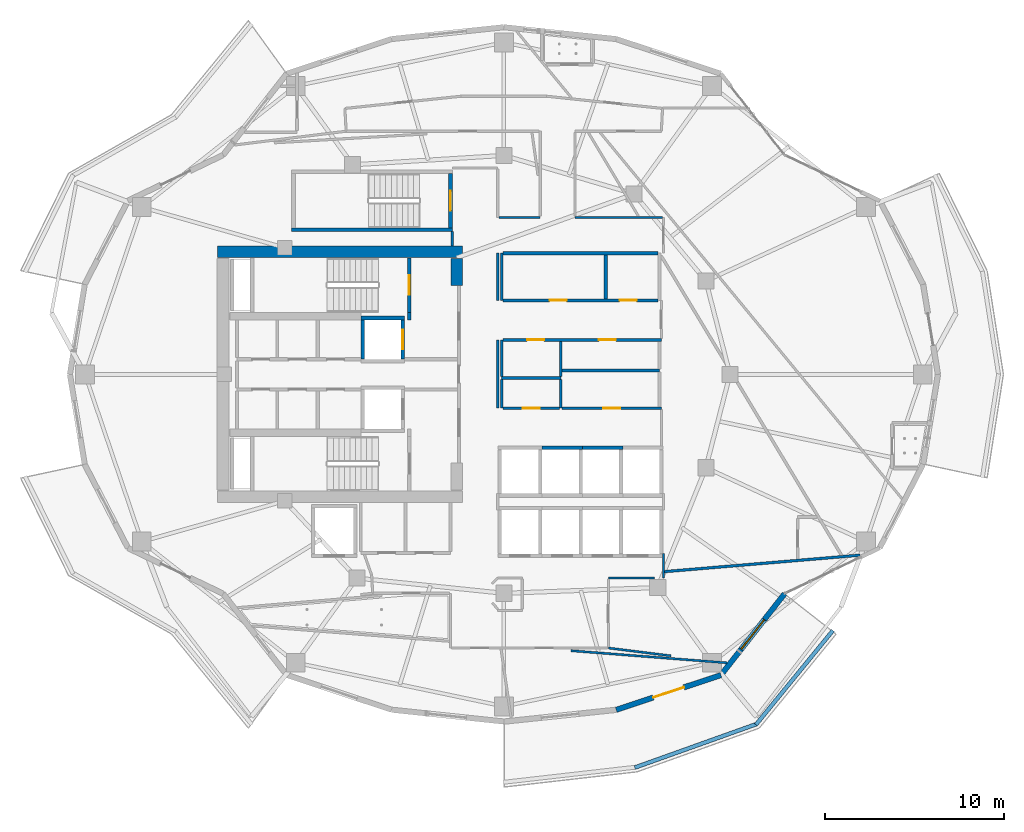
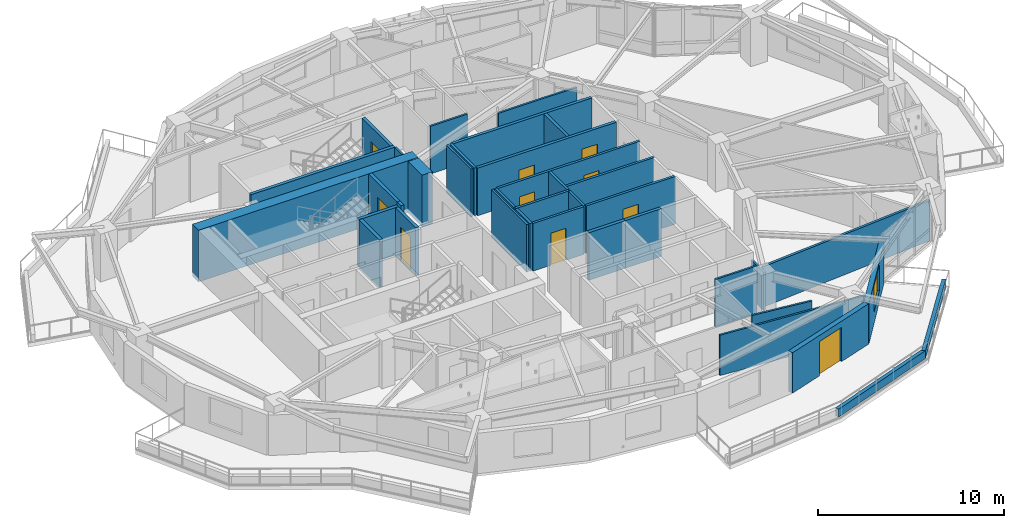
# One storey, part 8 of 18: 38 walls, 10 doors, 1 window, 11 openings.
"""IFC4 building model written with IfcOpenShell, lengths in metres."""

from ifc_helpers import new_model, si_unit, direction, frame, frame_2d, origin, place, context, subcontext, project, spatial, rectangle, extrude, material, layer, layer_set, type_object, element, fill, save


model = new_model("IFC4")

# Units and contexts
model_context = context("Model", 3, precision=1e-05, world=origin(), true_north=direction((0.0, 1.0)))
body_context = subcontext(model_context, "Body", "Model", "MODEL_VIEW")
ifc_project = project(units=[si_unit("LENGTHUNIT", "METRE"), si_unit("AREAUNIT", "SQUARE_METRE"), si_unit("VOLUMEUNIT", "CUBIC_METRE"), si_unit("PLANEANGLEUNIT", "RADIAN"), si_unit("MASSUNIT", "GRAM", prefix="KILO")], contexts=[model_context])

# Site, building, storey
site_placement = place(None, origin())
site = spatial("IfcSite", under=ifc_project, at=site_placement, CompositionType="ELEMENT")
building_placement = place(site_placement, origin())
building = spatial("IfcBuilding", under=site, at=building_placement, Name="Kolvaren Gate Tower and Convention Centre", CompositionType="ELEMENT")
storey_placement = place(building_placement, frame((0.0, 0.0, 135.89990234375)))
storey = spatial("IfcBuildingStorey", under=building, at=storey_placement, Name="L34", CompositionType="ELEMENT", Elevation=135.89990234375)

# Wall
ifc_material_1 = material(Name="Autoclaved Aerated Masonry Blockwork Class 4 (4.0 MPa)", Category="masonry")
ifc_layer_1 = layer(ifc_material_1, 0.179931640625)
ifc_layer_set_1 = layer_set([ifc_layer_1], Name="Autoclaved Aerated Masonry Blockwork Class 4 (4.0 MPa)")
wall_type_1 = type_object("IfcWallType", Name="ARCH-WL-COMP-180", PredefinedType="SOLIDWALL", material=ifc_layer_set_1)
wall_1_placement = place(storey_placement, frame((24.85009765625, 30.0400390625, 0.0), z_axis=(0.0, 0.0, 1.0), x_axis=(0.0, 1.0, 0.0)))
element("IfcWall", 1, at=wall_1_placement, inside=storey, type_object=wall_type_1, Name="Interior Partition WL-L34-INT-002", PredefinedType="SOLIDWALL", context=body_context, shape_type="SweptSolid", body=[
    extrude(rectangle(XDim=0.419921875, YDim=0.179931640625, at=frame_2d((0.2099609375, 0.0))), origin(), (0.0, 0.0, 1.0), 3.130126953125),
])

# Wall, openings, doors
wall_2_placement = place(storey_placement, frame((30.076904296875, 31.1201171875, 0.0), z_axis=(0.0, 0.0, 1.0), x_axis=(1.0, 0.0, 0.0)))
wall_2 = element("IfcWall", 2, at=wall_2_placement, inside=storey, type_object=wall_type_1, Name="Interior Partition WL-L34-INT-025", PredefinedType="SOLIDWALL", context=body_context, shape_type="SweptSolid", body=[
    extrude(rectangle(XDim=8.631103515625, YDim=0.179931640625, at=frame_2d((4.3154296875, 0.0))), origin(), (0.0, 0.0, 1.0), 3.130126953125),
])
opening_1_placement = place(wall_2_placement, frame((2.591552734375, 0.0, 0.0)))
opening_1 = element("IfcOpeningElement", 3, at=opening_1_placement, cuts=wall_2, Name="Opening DR-01", PredefinedType="OPENING", context=body_context, shape_type="SweptSolid", body=[
    extrude(rectangle(XDim=0.949951171875, YDim=2.10009765625, at=frame_2d((0.47509765625, 1.050048828125))), frame((0.0, 0.099853515625, 0.0), z_axis=(0.0, -1.0, 0.0), x_axis=(1.0, 0.0, 0.0)), (0.0, 0.0, 1.0), 0.199951171875),
])
opening_2_placement = place(wall_2_placement, frame((6.4970703125, 0.0, 0.0)))
opening_2 = element("IfcOpeningElement", 4, at=opening_2_placement, cuts=wall_2, Name="Opening DR-01", PredefinedType="OPENING", context=body_context, shape_type="SweptSolid", body=[
    extrude(rectangle(XDim=0.949951171875, YDim=2.10009765625, at=frame_2d((0.47509765625, 1.050048828125))), frame((0.0, 0.099853515625, 0.0), z_axis=(0.0, -1.0, 0.0), x_axis=(1.0, 0.0, 0.0)), (0.0, 0.0, 1.0), 0.199951171875),
])
ifc_material_2 = material(Name="Painted Architectural Steelwork ASTM A500 Grade C 345 MPa", Category="steel")
door_type_1 = type_object("IfcDoorType", Name="ARCH-DR-RISER-950", OperationType="SINGLE_SWING_RIGHT", PredefinedType="DOOR", material=ifc_material_2)
door_1_placement = place(opening_1_placement, origin())
door_1 = element("IfcDoor", 5, at=door_1_placement, inside=storey, type_object=door_type_1, Name="Steward Supply Store Door", OperationType="SINGLE_SWING_RIGHT", OverallHeight=2.10009765625, OverallWidth=0.949951171875, PredefinedType="DOOR", context=body_context, shape_type="SweptSolid", body=[
    extrude(rectangle(XDim=0.949951171875, YDim=2.10009765625, at=frame_2d((0.47509765625, 1.050048828125))), frame((0.0, 0.02490234375, 0.0), z_axis=(0.0, -1.0, 0.0), x_axis=(1.0, 0.0, 0.0)), (0.0, 0.0, 1.0), 0.050048828125),
])
fill(opening_1, door_1)
door_2_placement = place(opening_2_placement, origin())
door_2 = element("IfcDoor", 6, at=door_2_placement, inside=storey, type_object=door_type_1, Name="Floor Telecom Switch Room Door", OperationType="SINGLE_SWING_LEFT", OverallHeight=2.10009765625, OverallWidth=0.949951171875, PredefinedType="DOOR", context=body_context, shape_type="SweptSolid", body=[
    extrude(rectangle(XDim=0.949951171875, YDim=2.10009765625, at=frame_2d((0.47509765625, 1.050048828125))), frame((0.0, 0.02490234375, 0.0), z_axis=(0.0, -1.0, 0.0), x_axis=(1.0, 0.0, 0.0)), (0.0, 0.0, 1.0), 0.050048828125),
])
fill(opening_2, door_2)

# Walls
wall_3_placement = place(storey_placement, frame((30.076904296875, 33.75, 0.0), z_axis=(0.0, 0.0, 1.0), x_axis=(1.0, 0.0, 0.0)))
element("IfcWall", 7, at=wall_3_placement, inside=storey, type_object=wall_type_1, Name="Interior Partition WL-L34-INT-026", PredefinedType="SOLIDWALL", context=body_context, shape_type="SweptSolid", body=[
    extrude(rectangle(XDim=8.631103515625, YDim=0.179931640625, at=frame_2d((4.3154296875, 0.0))), origin(), (0.0, 0.0, 1.0), 3.130126953125),
])
wall_4_placement = place(storey_placement, frame((35.800048828125, 31.2119140625, 0.0), z_axis=(0.0, 0.0, 1.0), x_axis=(0.0, 1.0, 0.0)))
element("IfcWall", 8, at=wall_4_placement, inside=storey, type_object=wall_type_1, Name="Interior Partition WL-L34-INT-027", PredefinedType="SOLIDWALL", context=body_context, shape_type="SweptSolid", body=[
    extrude(rectangle(XDim=2.446044921875, YDim=0.179931640625, at=frame_2d((1.22314453125, 0.0))), origin(), (0.0, 0.0, 1.0), 3.130126953125),
])
ifc_material_3 = material(Name="Fire-Rated Acoustic Gypsum Stud Partition", Category="gypsum")
ifc_layer_2 = layer(ifc_material_3, 0.1201171875)
ifc_layer_set_2 = layer_set([ifc_layer_2], Name="Fire-Rated Acoustic Gypsum Stud Partition")
wall_type_2 = type_object("IfcWallType", Name="ARCH-WL-PART-120", PredefinedType="PARTITIONING", material=ifc_layer_set_2)
wall_5_placement = place(storey_placement, frame((39.02001953125, 15.64990234375, 0.0), z_axis=(0.0, 0.0, 1.0), x_axis=(0.0, 1.0, 0.0)))
element("IfcWall", 9, at=wall_5_placement, inside=storey, type_object=wall_type_2, Name="Interior Partition WL-L34-INT-028", PredefinedType="PARTITIONING", context=body_context, shape_type="SweptSolid", body=[
    extrude(rectangle(XDim=1.360107421875, YDim=0.1201171875, at=frame_2d((0.68017578125, 0.0))), origin(), (0.0, 0.0, 1.0), 2.505126953125),
])
wall_6_placement = place(storey_placement, frame((35.949951171875, 15.64990234375, 0.0), z_axis=(0.0, 0.0, 1.0), x_axis=(1.0, 0.0, 0.0)))
element("IfcWall", 10, at=wall_6_placement, inside=storey, type_object=wall_type_2, Name="Interior Partition WL-L34-INT-031", PredefinedType="PARTITIONING", context=body_context, shape_type="SweptSolid", body=[
    extrude(rectangle(XDim=2.568115234375, YDim=0.1201171875, at=frame_2d((1.2841796875, 0.0))), origin(), (0.0, 0.0, 1.0), 3.130126953125),
])
wall_7_placement = place(storey_placement, frame((27.25, 34.152099609375, 0.0), z_axis=(0.0, 0.0, 1.0), x_axis=(0.0, 1.0, 0.0)))
element("IfcWall", 11, at=wall_7_placement, inside=storey, type_object=wall_type_2, Name="Interior Partition WL-L34-INT-038", PredefinedType="PARTITIONING", context=body_context, shape_type="SweptSolid", body=[
    extrude(rectangle(XDim=0.805908203125, YDim=0.1201171875, at=frame_2d((0.40283203125, 0.0))), origin(), (0.0, 0.0, 1.0), 3.130126953125),
])
wall_8_placement = place(storey_placement, frame((29.780029296875, 25.1201171875, 0.0), z_axis=(0.0, 0.0, 1.0), x_axis=(0.0, 1.0, 0.0)))
element("IfcWall", 12, at=wall_8_placement, inside=storey, type_object=wall_type_2, Name="Interior Partition WL-L34-INT-041", PredefinedType="PARTITIONING", context=body_context, shape_type="SweptSolid", body=[
    extrude(rectangle(XDim=3.7998046875, YDim=0.1201171875, at=frame_2d((1.89990234375, 0.0))), origin(), (0.0, 0.0, 1.0), 3.130126953125),
])
wall_9_placement = place(storey_placement, frame((29.780029296875, 31.1201171875, 0.0), z_axis=(0.0, 0.0, 1.0), x_axis=(0.0, 1.0, 0.0)))
element("IfcWall", 13, at=wall_9_placement, inside=storey, type_object=wall_type_2, Name="Interior Partition WL-L34-INT-042", PredefinedType="PARTITIONING", context=body_context, shape_type="SweptSolid", body=[
    extrude(rectangle(XDim=2.6298828125, YDim=0.1201171875, at=frame_2d((1.31494140625, 0.0))), origin(), (0.0, 0.0, 1.0), 3.130126953125),
])
wall_10_placement = place(storey_placement, frame((29.842041015625, 35.75, 0.0), z_axis=(0.0, 0.0, 1.0), x_axis=(1.0, 0.0, 0.0)))
element("IfcWall", 14, at=wall_10_placement, inside=storey, type_object=wall_type_2, Name="Interior Partition WL-L34-INT-044", PredefinedType="PARTITIONING", context=body_context, shape_type="SweptSolid", body=[
    extrude(rectangle(XDim=2.307861328125, YDim=0.1201171875, at=frame_2d((1.15380859375, 0.0))), origin(), (0.0, 0.0, 1.0), 3.130126953125),
])
wall_11_placement = place(storey_placement, frame((34.080078125, 35.75, 0.0), z_axis=(0.0, 0.0, 1.0), x_axis=(1.0, 0.0, 0.0)))
element("IfcWall", 15, at=wall_11_placement, inside=storey, type_object=wall_type_2, Name="Interior Partition WL-L34-INT-045", PredefinedType="PARTITIONING", context=body_context, shape_type="SweptSolid", body=[
    extrude(rectangle(XDim=4.8779296875, YDim=0.1201171875, at=frame_2d((2.43896484375, 0.0))), origin(), (0.0, 0.0, 1.0), 2.505126953125),
])
wall_12_placement = place(storey_placement, frame((33.871826171875, 11.60009765625, 0.0), z_axis=(0.0, 0.0, 1.0), x_axis=(0.996986194661, -0.077579170241, 0.0)))
element("IfcWall", 16, at=wall_12_placement, inside=storey, type_object=wall_type_2, Name="Interior Partition WL-L34-INT-063", PredefinedType="PARTITIONING", context=body_context, shape_type="SweptSolid", body=[
    extrude(rectangle(XDim=8.714111328125, YDim=0.1201171875, at=frame_2d((4.35693359375, 0.0))), origin(), (0.0, 0.0, 1.0), 2.653076171875),
])
wall_13_placement = place(storey_placement, frame((35.949951171875, 11.75, 0.0), z_axis=(0.0, 0.0, 1.0), x_axis=(0.992393012253, -0.123110150805, 0.0)))
element("IfcWall", 17, at=wall_13_placement, inside=storey, type_object=wall_type_2, Name="Interior Partition WL-L34-INT-065", PredefinedType="PARTITIONING", context=body_context, shape_type="SweptSolid", body=[
    extrude(rectangle(XDim=3.510009765625, YDim=0.1201171875, at=frame_2d((1.7548828125, 0.0))), origin(), (0.0, 0.0, 1.0), 3.130126953125),
])
ifc_material_4 = material(Name="Piedmont Cream Honed Limestone Cladding", Category="masonry")
ifc_layer_3 = layer(ifc_material_4, 0.219970703125)
ifc_layer_set_3 = layer_set([ifc_layer_3], Name="Piedmont Cream Honed Limestone Cladding")
wall_type_3 = type_object("IfcWallType", Name="ARCH-WL-PLANTER-220", PredefinedType="PARAPET", material=ifc_layer_set_3)
wall_14_placement = place(storey_placement, frame((37.4189453125, 5.08740234375, 0.0), z_axis=(0.0, 0.0, 1.0), x_axis=(0.941632697311, 0.336642040387, 0.0)))
element("IfcWall", 18, at=wall_14_placement, inside=storey, type_object=wall_type_3, Name="Vertical-Forest Balcony Stone Planter Kerb PK-L34-3.2", PredefinedType="PARAPET", context=body_context, shape_type="SweptSolid", body=[
    extrude(rectangle(XDim=7.235595703125, YDim=0.219970703125, at=frame_2d((3.61767578125, 0.0))), origin(), (0.0, 0.0, 1.0), 0.52001953125),
])
wall_15_placement = place(storey_placement, frame((44.1669921875, 7.476806640625, 0.0), z_axis=(0.0, 0.0, 1.0), x_axis=(0.633002467947, 0.77414977593, 0.0)))
element("IfcWall", 19, at=wall_15_placement, inside=storey, type_object=wall_type_3, Name="Vertical-Forest Balcony Stone Planter Kerb PK-L34-3.3", PredefinedType="PARAPET", context=body_context, shape_type="SweptSolid", body=[
    extrude(rectangle(XDim=6.7802734375, YDim=0.219970703125, at=frame_2d((3.39013671875, 0.0))), origin(), (0.0, 0.0, 1.0), 0.52001953125),
])
ifc_layer_4 = layer(ifc_material_1, 0.199951171875)
ifc_layer_set_4 = layer_set([ifc_layer_4], Name="Autoclaved Aerated Masonry Blockwork Class 4 (4.0 MPa)")
wall_type_4 = type_object("IfcWallType", Name="ARCH-WL-SHAFT-200", PredefinedType="SOLIDWALL", material=ifc_layer_set_4)
wall_16_placement = place(storey_placement, frame((22.14990234375, 30.139892578125, 0.0), z_axis=(0.0, 0.0, 1.0), x_axis=(1.0, 0.0, 0.0)))
element("IfcWall", 20, at=wall_16_placement, inside=storey, type_object=wall_type_4, Name="Elevator FF-01 L34 Fire Shaft Wall N", PredefinedType="SOLIDWALL", context=body_context, shape_type="SweptSolid", body=[
    extrude(rectangle(XDim=2.4501953125, YDim=0.199951171875, at=frame_2d((1.22509765625, 0.0))), origin(), (0.0, 0.0, 1.0), 3.130126953125),
])
wall_17_placement = place(storey_placement, frame((22.25, 27.85009765625, 0.0), z_axis=(0.0, 0.0, 1.0), x_axis=(0.0, 1.0, 0.0)))
element("IfcWall", 21, at=wall_17_placement, inside=storey, type_object=wall_type_4, Name="Elevator FF-01 L34 Fire Shaft Wall W", PredefinedType="SOLIDWALL", context=body_context, shape_type="SweptSolid", body=[
    extrude(rectangle(XDim=2.179931640625, YDim=0.199951171875, at=frame_2d((1.08984375, 0.0))), origin(), (0.0, 0.0, 1.0), 3.130126953125),
])

# Wall, opening, door
wall_18_placement = place(storey_placement, frame((24.5, 27.85009765625, 0.0), z_axis=(0.0, 0.0, 1.0), x_axis=(0.0, 1.0, 0.0)))
wall_18 = element("IfcWall", 22, at=wall_18_placement, inside=storey, type_object=wall_type_4, Name="Elevator FF-01 L34 Fire Shaft Wall E", PredefinedType="SOLIDWALL", context=body_context, shape_type="SweptSolid", body=[
    extrude(rectangle(XDim=2.179931640625, YDim=0.199951171875, at=frame_2d((1.08984375, 0.0))), origin(), (0.0, 0.0, 1.0), 3.130126953125),
])
opening_3_placement = place(wall_18_placement, frame((0.5400390625, 0.0, 0.0)))
opening_3 = element("IfcOpeningElement", 23, at=opening_3_placement, cuts=wall_18, Name="Opening LD", PredefinedType="OPENING", context=body_context, shape_type="SweptSolid", body=[
    extrude(rectangle(XDim=1.10009765625, YDim=2.199951171875, at=frame_2d((0.550048828125, 1.10009765625))), frame((0.0, 0.10986328125, 0.0), z_axis=(0.0, -1.0, 0.0), x_axis=(1.0, 0.0, 0.0)), (0.0, 0.0, 1.0), 0.219970703125),
])
ifc_material_5 = material(Name="Brushed Stainless Steel Grade 316L", Category="steel")
door_type_2 = type_object("IfcDoorType", Name="ARCH-DR-LIFT-1100", OperationType="SLIDING_TO_LEFT", PredefinedType="DOOR", material=ifc_material_5)
door_3_placement = place(opening_3_placement, origin())
door_3 = element("IfcDoor", 24, at=door_3_placement, inside=storey, type_object=door_type_2, Name="Elevator FF-01 L34 Sliding Landing Door", OperationType="SLIDING_TO_LEFT", OverallHeight=2.199951171875, OverallWidth=1.10009765625, PredefinedType="DOOR", context=body_context, shape_type="SweptSolid", body=[
    extrude(rectangle(XDim=1.10009765625, YDim=2.199951171875, at=frame_2d((0.550048828125, 1.10009765625))), frame((0.0, 0.02490234375, 0.0), z_axis=(0.0, -1.0, 0.0), x_axis=(1.0, 0.0, 0.0)), (0.0, 0.0, 1.0), 0.050048828125),
])
fill(opening_3, door_3)

# Walls
for number, where, z_axis, x_axis, name in (
    (25, (32.25, 22.89990234375, 0.0), (0.0, 0.0, 1.0), (1.0, 0.0, 0.0), "Elevator PL-10 L34 Fire Shaft Wall N"),
    (26, (34.5, 22.89990234375, 0.0), (0.0, 0.0, 1.0), (1.0, 0.0, 0.0), "Elevator PL-11 L34 Fire Shaft Wall N"),
):
    element("IfcWall", number, at=place(storey_placement, frame(where, z_axis=z_axis, x_axis=x_axis)), inside=storey, type_object=wall_type_4, Name=name, PredefinedType="SOLIDWALL", context=body_context, shape_type="SweptSolid", body=[
        extrude(rectangle(XDim=2.25, YDim=0.199951171875, at=frame_2d((1.125, 0.0))), origin(), (0.0, 0.0, 1.0), 3.130126953125),
    ])

# Wall, opening, door
ifc_layer_5 = layer(ifc_material_4, 0.300048828125)
ifc_layer_set_5 = layer_set([ifc_layer_5], Name="Piedmont Cream Honed Limestone Cladding")
wall_type_5 = type_object("IfcWallType", Name="ARCH-WL-STONE-300", PredefinedType="SOLIDWALL", material=ifc_layer_set_5)
wall_19_placement = place(storey_placement, frame((36.38525390625, 8.309326171875, 0.0), z_axis=(0.0, 0.0, 1.0), x_axis=(0.949238009374, 0.314558741032, 0.0)))
wall_19 = element("IfcWall", 27, at=wall_19_placement, inside=storey, type_object=wall_type_5, Name="Tower L34 Honed Stone Spandrel Wall EW-19", PredefinedType="SOLIDWALL", context=body_context, shape_type="SweptSolid", body=[
    extrude(rectangle(XDim=6.1455078125, YDim=0.300048828125, at=frame_2d((3.07275390625, 0.0))), origin(), (0.0, 0.0, 1.0), 2.653076171875),
])
opening_4_placement = place(wall_19_placement, frame((2.173095703125, 0.0, 0.0)))
opening_4 = element("IfcOpeningElement", 28, at=opening_4_placement, cuts=wall_19, Name="Opening DB-01", PredefinedType="OPENING", context=body_context, shape_type="SweptSolid", body=[
    extrude(rectangle(XDim=1.800048828125, YDim=2.25, at=frame_2d((0.89990234375, 1.125))), frame((0.0, 0.159912109375, 0.0), z_axis=(0.0, -1.0, 0.0), x_axis=(1.0, 0.0, 0.0)), (0.0, 0.0, 1.0), 0.320068359375),
])
ifc_material_6 = material(Name="Anodized Architectural Aluminium Alloy 6063-T6", Category="aluminium")
door_type_3 = type_object("IfcDoorType", Name="ARCH-DR-BALC-1800", OperationType="SLIDING_TO_LEFT", PredefinedType="DOOR", material=ifc_material_6)
door_4_placement = place(opening_4_placement, frame((1.800048828125, 0.0, 0.0), z_axis=(0.0, 0.0, 1.0), x_axis=(-1.0, 0.0, 0.0)))
door_4 = element("IfcDoor", 29, at=door_4_placement, inside=storey, type_object=door_type_3, Name="Planted Sky Terrace Access Door DB-L34-19", OperationType="SLIDING_TO_LEFT", OverallHeight=2.25, OverallWidth=1.800048828125, PredefinedType="DOOR", context=body_context, shape_type="SweptSolid", body=[
    extrude(rectangle(XDim=1.800048828125, YDim=2.25, at=frame_2d((0.89990234375, 1.125))), frame((0.0, 0.02490234375, 0.0), z_axis=(0.0, -1.0, 0.0), x_axis=(1.0, 0.0, 0.0)), (0.0, 0.0, 1.0), 0.050048828125),
])
fill(opening_4, door_4)

# Wall, opening, window
wall_20_placement = place(storey_placement, frame((42.21875, 10.242431640625, 0.0), z_axis=(0.0, 0.0, 1.0), x_axis=(0.616435134162, 0.787405693001, 0.0)))
wall_20 = element("IfcWall", 30, at=wall_20_placement, inside=storey, type_object=wall_type_5, Name="Tower L34 Honed Stone Spandrel Wall EW-20", PredefinedType="SOLIDWALL", context=body_context, shape_type="SweptSolid", body=[
    extrude(rectangle(XDim=5.759033203125, YDim=0.300048828125, at=frame_2d((2.87939453125, 0.0))), origin(), (0.0, 0.0, 1.0), 2.653076171875),
])
opening_5_placement = place(wall_20_placement, frame((1.8291015625, 0.0, 0.739990234375)))
opening_5 = element("IfcOpeningElement", 31, at=opening_5_placement, cuts=wall_20, Name="Opening W-02", PredefinedType="OPENING", context=body_context, shape_type="SweptSolid", body=[
    extrude(rectangle(XDim=2.10009765625, YDim=1.699951171875, at=frame_2d((1.050048828125, 0.85009765625))), frame((0.0, 0.159912109375, 0.0), z_axis=(0.0, -1.0, 0.0), x_axis=(1.0, 0.0, 0.0)), (0.0, 0.0, 1.0), 0.320068359375),
])
ifc_material_7 = material(Name="Low-E Triple Insulated Glazing Unit 44 mm", Category="glass")
window_type = type_object("IfcWindowType", Name="ARCH-WN-HTL-2100", PartitioningType="SINGLE_PANEL", PredefinedType="WINDOW", material=ifc_material_7)
window_placement = place(opening_5_placement, origin())
window = element("IfcWindow", 32, at=window_placement, inside=storey, type_object=window_type, Name="Tower L34 Punched Stone Facade Window W-20", OverallHeight=1.699951171875, OverallWidth=2.10009765625, PartitioningType="SINGLE_PANEL", PredefinedType="WINDOW", context=body_context, shape_type="SweptSolid", body=[
    extrude(rectangle(XDim=2.10009765625, YDim=1.699951171875, at=frame_2d((1.050048828125, 0.85009765625))), frame((0.0, 0.030029296875, 0.0), z_axis=(0.0, -1.0, 0.0), x_axis=(1.0, 0.0, 0.0)), (0.0, 0.0, 1.0), 0.06005859375),
])
fill(opening_5, window)

# Walls
ifc_material_8 = material(Name="Moisture-Resistant Cement-Board Acoustic Partition", Category="gypsum")
ifc_layer_6 = layer(ifc_material_8, 0.14990234375)
ifc_layer_set_6 = layer_set([ifc_layer_6], Name="Moisture-Resistant Cement-Board Acoustic Partition")
wall_type_6 = type_object("IfcWallType", Name="ARCH-WL-WET-150", PredefinedType="PARTITIONING", material=ifc_layer_set_6)
wall_21_placement = place(storey_placement, frame((30.0, 26.800048828125, 0.0), z_axis=(0.0, 0.0, 1.0), x_axis=(1.0, 0.0, 0.0)))
element("IfcWall", 33, at=wall_21_placement, inside=storey, type_object=wall_type_6, Name="Interior Partition WL-L34-INT-016", PredefinedType="PARTITIONING", context=body_context, shape_type="SweptSolid", body=[
    extrude(rectangle(XDim=3.300048828125, YDim=0.14990234375, at=frame_2d((1.64990234375, 0.0))), origin(), (0.0, 0.0, 1.0), 3.130126953125),
])
wall_22_placement = place(storey_placement, frame((30.0, 25.1201171875, 0.0), z_axis=(0.0, 0.0, 1.0), x_axis=(0.0, 1.0, 0.0)))
element("IfcWall", 34, at=wall_22_placement, inside=storey, type_object=wall_type_6, Name="Interior Partition WL-L34-INT-017", PredefinedType="PARTITIONING", context=body_context, shape_type="SweptSolid", body=[
    extrude(rectangle(XDim=1.602783203125, YDim=0.14990234375, at=frame_2d((0.80126953125, 0.0))), origin(), (0.0, 0.0, 1.0), 3.130126953125),
])
wall_23_placement = place(storey_placement, frame((30.0, 26.876953125, 0.0), z_axis=(0.0, 0.0, 1.0), x_axis=(0.0, 1.0, 0.0)))
element("IfcWall", 35, at=wall_23_placement, inside=storey, type_object=wall_type_6, Name="Interior Partition WL-L34-INT-017 (2)", PredefinedType="PARTITIONING", context=body_context, shape_type="SweptSolid", body=[
    extrude(rectangle(XDim=2.04296875, YDim=0.14990234375, at=frame_2d((1.021484375, 0.0))), origin(), (0.0, 0.0, 1.0), 3.130126953125),
])
wall_24_placement = place(storey_placement, frame((30.0, 31.1201171875, 0.0), z_axis=(0.0, 0.0, 1.0), x_axis=(0.0, 1.0, 0.0)))
element("IfcWall", 36, at=wall_24_placement, inside=storey, type_object=wall_type_6, Name="Interior Partition WL-L34-INT-018", PredefinedType="PARTITIONING", context=body_context, shape_type="SweptSolid", body=[
    extrude(rectangle(XDim=2.6298828125, YDim=0.14990234375, at=frame_2d((1.31494140625, 0.0))), origin(), (0.0, 0.0, 1.0), 3.130126953125),
])

# Wall, openings, doors
wall_25_placement = place(storey_placement, frame((30.076904296875, 28.919921875, 0.0), z_axis=(0.0, 0.0, 1.0), x_axis=(1.0, 0.0, 0.0)))
wall_25 = element("IfcWall", 37, at=wall_25_placement, inside=storey, type_object=wall_type_6, Name="Interior Partition WL-L34-INT-019", PredefinedType="PARTITIONING", context=body_context, shape_type="SweptSolid", body=[
    extrude(rectangle(XDim=8.822998046875, YDim=0.14990234375, at=frame_2d((4.41162109375, 0.0))), origin(), (0.0, 0.0, 1.0), 3.130126953125),
])
opening_6_placement = place(wall_25_placement, frame((1.341552734375, 0.0, 0.0)))
opening_6 = element("IfcOpeningElement", 38, at=opening_6_placement, cuts=wall_25, Name="Opening DR-01", PredefinedType="OPENING", context=body_context, shape_type="SweptSolid", body=[
    extrude(rectangle(XDim=0.949951171875, YDim=2.10009765625, at=frame_2d((0.47509765625, 1.050048828125))), frame((0.0, 0.0849609375, 0.0), z_axis=(0.0, -1.0, 0.0), x_axis=(1.0, 0.0, 0.0)), (0.0, 0.0, 1.0), 0.169921875),
])
opening_7_placement = place(wall_25_placement, frame((5.343017578125, 0.0, 0.0)))
opening_7 = element("IfcOpeningElement", 39, at=opening_7_placement, cuts=wall_25, Name="Opening DR-01", PredefinedType="OPENING", context=body_context, shape_type="SweptSolid", body=[
    extrude(rectangle(XDim=0.949951171875, YDim=2.10009765625, at=frame_2d((0.47509765625, 1.050048828125))), frame((0.0, 0.0849609375, 0.0), z_axis=(0.0, -1.0, 0.0), x_axis=(1.0, 0.0, 0.0)), (0.0, 0.0, 1.0), 0.169921875),
])
door_5_placement = place(opening_6_placement, origin())
door_5 = element("IfcDoor", 40, at=door_5_placement, inside=storey, type_object=door_type_1, Name="Accessible North Washroom Door", OperationType="SINGLE_SWING_RIGHT", OverallHeight=2.10009765625, OverallWidth=0.949951171875, PredefinedType="DOOR", context=body_context, shape_type="SweptSolid", body=[
    extrude(rectangle(XDim=0.949951171875, YDim=2.10009765625, at=frame_2d((0.47509765625, 1.050048828125))), frame((0.0, 0.02490234375, 0.0), z_axis=(0.0, -1.0, 0.0), x_axis=(1.0, 0.0, 0.0)), (0.0, 0.0, 1.0), 0.050048828125),
])
fill(opening_6, door_5)
door_6_placement = place(opening_7_placement, origin())
door_6 = element("IfcDoor", 41, at=door_6_placement, inside=storey, type_object=door_type_1, Name="Hotel Housekeeping and Linen Store Door", OperationType="SINGLE_SWING_RIGHT", OverallHeight=2.10009765625, OverallWidth=0.949951171875, PredefinedType="DOOR", context=body_context, shape_type="SweptSolid", body=[
    extrude(rectangle(XDim=0.949951171875, YDim=2.10009765625, at=frame_2d((0.47509765625, 1.050048828125))), frame((0.0, 0.02490234375, 0.0), z_axis=(0.0, -1.0, 0.0), x_axis=(1.0, 0.0, 0.0)), (0.0, 0.0, 1.0), 0.050048828125),
])
fill(opening_7, door_6)

# Walls
wall_26_placement = place(storey_placement, frame((33.300048828125, 25.1201171875, 0.0), z_axis=(0.0, 0.0, 1.0), x_axis=(0.0, 1.0, 0.0)))
element("IfcWall", 42, at=wall_26_placement, inside=storey, type_object=wall_type_6, Name="Interior Partition WL-L34-INT-020", PredefinedType="PARTITIONING", context=body_context, shape_type="SweptSolid", body=[
    extrude(rectangle(XDim=1.602783203125, YDim=0.14990234375, at=frame_2d((0.80126953125, 0.0))), origin(), (0.0, 0.0, 1.0), 3.130126953125),
])
wall_27_placement = place(storey_placement, frame((33.300048828125, 26.876953125, 0.0), z_axis=(0.0, 0.0, 1.0), x_axis=(0.0, 1.0, 0.0)))
element("IfcWall", 43, at=wall_27_placement, inside=storey, type_object=wall_type_6, Name="Interior Partition WL-L34-INT-020 (2)", PredefinedType="PARTITIONING", context=body_context, shape_type="SweptSolid", body=[
    extrude(rectangle(XDim=1.966064453125, YDim=0.14990234375, at=frame_2d((0.98291015625, 0.0))), origin(), (0.0, 0.0, 1.0), 3.130126953125),
])

# Wall, opening, door
wall_28_placement = place(storey_placement, frame((30.076904296875, 25.1201171875, 0.0), z_axis=(0.0, 0.0, 1.0), x_axis=(1.0, 0.0, 0.0)))
wall_28 = element("IfcWall", 44, at=wall_28_placement, inside=storey, type_object=wall_type_6, Name="Interior Partition WL-L34-INT-021", PredefinedType="PARTITIONING", context=body_context, shape_type="SweptSolid", body=[
    extrude(rectangle(XDim=3.14599609375, YDim=0.14990234375, at=frame_2d((1.572998046875, 0.0))), origin(), (0.0, 0.0, 1.0), 3.130126953125),
])
opening_8_placement = place(wall_28_placement, frame((1.097900390625, 0.0, 0.0)))
opening_8 = element("IfcOpeningElement", 45, at=opening_8_placement, cuts=wall_28, Name="Opening DR-01", PredefinedType="OPENING", context=body_context, shape_type="SweptSolid", body=[
    extrude(rectangle(XDim=0.949951171875, YDim=2.10009765625, at=frame_2d((0.47509765625, 1.050048828125))), frame((0.0, 0.0849609375, 0.0), z_axis=(0.0, -1.0, 0.0), x_axis=(1.0, 0.0, 0.0)), (0.0, 0.0, 1.0), 0.169921875),
])
door_7_placement = place(opening_8_placement, origin())
door_7 = element("IfcDoor", 46, at=door_7_placement, inside=storey, type_object=door_type_1, Name="South Visitor Washroom Door", OperationType="SINGLE_SWING_LEFT", OverallHeight=2.10009765625, OverallWidth=0.949951171875, PredefinedType="DOOR", context=body_context, shape_type="SweptSolid", body=[
    extrude(rectangle(XDim=0.949951171875, YDim=2.10009765625, at=frame_2d((0.47509765625, 1.050048828125))), frame((0.0, 0.02490234375, 0.0), z_axis=(0.0, -1.0, 0.0), x_axis=(1.0, 0.0, 0.0)), (0.0, 0.0, 1.0), 0.050048828125),
])
fill(opening_8, door_7)

wall_29_placement = place(storey_placement, frame((33.376953125, 25.1201171875, 0.0), z_axis=(0.0, 0.0, 1.0), x_axis=(1.0, 0.0, 0.0)))
wall_29 = element("IfcWall", 47, at=wall_29_placement, inside=storey, type_object=wall_type_6, Name="Interior Partition WL-L34-INT-021 (2)", PredefinedType="PARTITIONING", context=body_context, shape_type="SweptSolid", body=[
    extrude(rectangle(XDim=5.52294921875, YDim=0.14990234375, at=frame_2d((2.761474609375, 0.0))), origin(), (0.0, 0.0, 1.0), 3.130126953125),
])
opening_9_placement = place(wall_29_placement, frame((2.28662109375, 0.0, 0.0)))
opening_9 = element("IfcOpeningElement", 48, at=opening_9_placement, cuts=wall_29, Name="Opening DR-01", PredefinedType="OPENING", context=body_context, shape_type="SweptSolid", body=[
    extrude(rectangle(XDim=0.949951171875, YDim=2.10009765625, at=frame_2d((0.47509765625, 1.050048828125))), frame((0.0, 0.0849609375, 0.0), z_axis=(0.0, -1.0, 0.0), x_axis=(1.0, 0.0, 0.0)), (0.0, 0.0, 1.0), 0.169921875),
])
door_8_placement = place(opening_9_placement, origin())
door_8 = element("IfcDoor", 49, at=door_8_placement, inside=storey, type_object=door_type_1, Name="Floor Coffee Pantry Door", OperationType="SINGLE_SWING_LEFT", OverallHeight=2.10009765625, OverallWidth=0.949951171875, PredefinedType="DOOR", context=body_context, shape_type="SweptSolid", body=[
    extrude(rectangle(XDim=0.949951171875, YDim=2.10009765625, at=frame_2d((0.47509765625, 1.050048828125))), frame((0.0, 0.02490234375, 0.0), z_axis=(0.0, -1.0, 0.0), x_axis=(1.0, 0.0, 0.0)), (0.0, 0.0, 1.0), 0.050048828125),
])
fill(opening_9, door_8)

# Walls
wall_30_placement = place(storey_placement, frame((33.376953125, 27.219970703125, 0.0), z_axis=(0.0, 0.0, 1.0), x_axis=(1.0, 0.0, 0.0)))
element("IfcWall", 50, at=wall_30_placement, inside=storey, type_object=wall_type_6, Name="Interior Partition WL-L34-INT-022", PredefinedType="PARTITIONING", context=body_context, shape_type="SweptSolid", body=[
    extrude(rectangle(XDim=5.423095703125, YDim=0.14990234375, at=frame_2d((2.71142578125, 0.0))), origin(), (0.0, 0.0, 1.0), 3.130126953125),
])
wall_31_placement = place(storey_placement, frame((39.08203125, 16.006591796875, 0.0), z_axis=(0.0, 0.0, 1.0), x_axis=(0.996466495788, 0.083991206515, 0.0)))
element("IfcWall", 51, at=wall_31_placement, inside=storey, type_object=wall_type_6, Name="Interior Partition WL-L34-INT-061", PredefinedType="PARTITIONING", context=body_context, shape_type="SweptSolid", body=[
    extrude(rectangle(XDim=10.93798828125, YDim=0.14990234375, at=frame_2d((5.468994140625, 0.0))), origin(), (0.0, 0.0, 1.0), 2.653076171875),
])
ifc_material_9 = material(Name="Concrete C60/75", Category="concrete")
ifc_layer_7 = layer(ifc_material_9, 0.64990234375)
ifc_layer_set_7 = layer_set([ifc_layer_7], Name="Concrete C60/75")
wall_type_7 = type_object("IfcWallType", Name="STR-WL-CORE-650", PredefinedType="SHEAR", material=ifc_layer_set_7)
wall_32_placement = place(storey_placement, frame((14.175048828125, 33.824951171875, -0.27001953125), z_axis=(0.0, 0.0, 1.0), x_axis=(1.0, 0.0, 0.0)))
element("IfcWall", 52, at=wall_32_placement, inside=storey, type_object=wall_type_7, Name="Tower L34 Offset Core Shear Wall N", PredefinedType="SHEAR", context=body_context, shape_type="SweptSolid", body=[
    extrude(rectangle(XDim=13.64990234375, YDim=0.64990234375, at=frame_2d((6.824951171875, 0.0))), origin(), (0.0, 0.0, 1.0), 3.400146484375),
])
wall_33_placement = place(storey_placement, frame((27.5, 31.949951171875, -0.27001953125), z_axis=(0.0, 0.0, 1.0), x_axis=(0.0, 1.0, 0.0)))
element("IfcWall", 53, at=wall_33_placement, inside=storey, type_object=wall_type_7, Name="Tower L34 Offset Core Shear Wall EN", PredefinedType="SHEAR", context=body_context, shape_type="SweptSolid", body=[
    extrude(rectangle(XDim=1.5, YDim=0.64990234375, at=frame_2d((0.75, 0.0))), origin(), (0.0, 0.0, 1.0), 3.400146484375),
])

# Wall, opening, door
ifc_material_10 = material(Name="Concrete C50/60", Category="concrete")
ifc_layer_8 = layer(ifc_material_10, 0.199951171875)
ifc_layer_set_8 = layer_set([ifc_layer_8], Name="Concrete C50/60")
wall_type_8 = type_object("IfcWallType", Name="STR-WL-SHAFT-200", PredefinedType="SHEAR", material=ifc_layer_set_8)
wall_34_placement = place(storey_placement, frame((24.85009765625, 30.4599609375, -0.27001953125), z_axis=(0.0, 0.0, 1.0), x_axis=(0.0, 1.0, 0.0)))
wall_34 = element("IfcWall", 54, at=wall_34_placement, inside=storey, type_object=wall_type_8, Name="Tower North Exit Stair ST-T1 L34 Structural Shear Enclosure Wall NEAR", PredefinedType="SHEAR", context=body_context, shape_type="SweptSolid", body=[
    extrude(rectangle(XDim=3.0380859375, YDim=0.199951171875, at=frame_2d((1.51904296875, 0.0))), origin(), (0.0, 0.0, 1.0), 3.400146484375),
])
opening_10_placement = place(wall_34_placement, frame((0.968994140625, 0.0, 0.27001953125)))
opening_10 = element("IfcOpeningElement", 55, at=opening_10_placement, cuts=wall_34, Name="Opening DS-01", PredefinedType="OPENING", context=body_context, shape_type="SweptSolid", body=[
    extrude(rectangle(XDim=1.10009765625, YDim=2.14990234375, at=frame_2d((0.550048828125, 1.074951171875))), frame((0.0, 0.10986328125, 0.0), z_axis=(0.0, -1.0, 0.0), x_axis=(1.0, 0.0, 0.0)), (0.0, 0.0, 1.0), 0.219970703125),
])
door_type_4 = type_object("IfcDoorType", Name="ARCH-DR-STAIR-1100", OperationType="SINGLE_SWING_LEFT", PredefinedType="DOOR", material=ifc_material_2)
door_9_placement = place(opening_10_placement, origin())
door_9 = element("IfcDoor", 56, at=door_9_placement, inside=storey, type_object=door_type_4, Name="Tower North Exit Stair ST-T1 L34 Fire Exit Stair Door", OperationType="SINGLE_SWING_RIGHT", OverallHeight=2.14990234375, OverallWidth=1.10009765625, PredefinedType="DOOR", context=body_context, shape_type="SweptSolid", body=[
    extrude(rectangle(XDim=1.10009765625, YDim=2.14990234375, at=frame_2d((0.550048828125, 1.074951171875))), frame((0.0, 0.02490234375, 0.0), z_axis=(0.0, -1.0, 0.0), x_axis=(1.0, 0.0, 0.0)), (0.0, 0.0, 1.0), 0.050048828125),
])
fill(opening_10, door_9)

wall_35_placement = place(storey_placement, frame((27.14990234375, 35.159912109375, -0.27001953125), z_axis=(0.0, 0.0, 1.0), x_axis=(0.0, 1.0, 0.0)))
wall_35 = element("IfcWall", 57, at=wall_35_placement, inside=storey, type_object=wall_type_8, Name="Tower Mid-Zone Exit Stair ST-T3 L34 Structural Shear Enclosure Wall NEAR", PredefinedType="SHEAR", context=body_context, shape_type="SweptSolid", body=[
    extrude(rectangle(XDim=3.0400390625, YDim=0.199951171875, at=frame_2d((1.52001953125, 0.0))), origin(), (0.0, 0.0, 1.0), 3.400146484375),
])
opening_11_placement = place(wall_35_placement, frame((0.969970703125, 0.0, 0.27001953125)))
opening_11 = element("IfcOpeningElement", 58, at=opening_11_placement, cuts=wall_35, Name="Opening DS-01", PredefinedType="OPENING", context=body_context, shape_type="SweptSolid", body=[
    extrude(rectangle(XDim=1.10009765625, YDim=2.14990234375, at=frame_2d((0.550048828125, 1.074951171875))), frame((0.0, 0.10986328125, 0.0), z_axis=(0.0, -1.0, 0.0), x_axis=(1.0, 0.0, 0.0)), (0.0, 0.0, 1.0), 0.219970703125),
])
door_10_placement = place(opening_11_placement, origin())
door_10 = element("IfcDoor", 59, at=door_10_placement, inside=storey, type_object=door_type_4, Name="Tower Mid-Zone Exit Stair ST-T3 L34 Fire Exit Stair Door", OperationType="SINGLE_SWING_RIGHT", OverallHeight=2.14990234375, OverallWidth=1.10009765625, PredefinedType="DOOR", context=body_context, shape_type="SweptSolid", body=[
    extrude(rectangle(XDim=1.10009765625, YDim=2.14990234375, at=frame_2d((0.550048828125, 1.074951171875))), frame((0.0, 0.02490234375, 0.0), z_axis=(0.0, -1.0, 0.0), x_axis=(1.0, 0.0, 0.0)), (0.0, 0.0, 1.0), 0.050048828125),
])
fill(opening_11, door_10)

# Wall
wall_36_placement = place(storey_placement, frame((18.300048828125, 35.06005859375, -0.27001953125), z_axis=(0.0, 0.0, 1.0), x_axis=(1.0, 0.0, 0.0)))
element("IfcWall", 60, at=wall_36_placement, inside=storey, type_object=wall_type_8, Name="Tower Mid-Zone Exit Stair ST-T3 L34 Structural Shear Enclosure Wall RGHT", PredefinedType="SHEAR", context=body_context, shape_type="SweptSolid", body=[
    extrude(rectangle(XDim=8.949951171875, YDim=0.199951171875, at=frame_2d((4.47509765625, 0.0))), origin(), (0.0, 0.0, 1.0), 3.400146484375),
])

save(model, "model.ifc")
